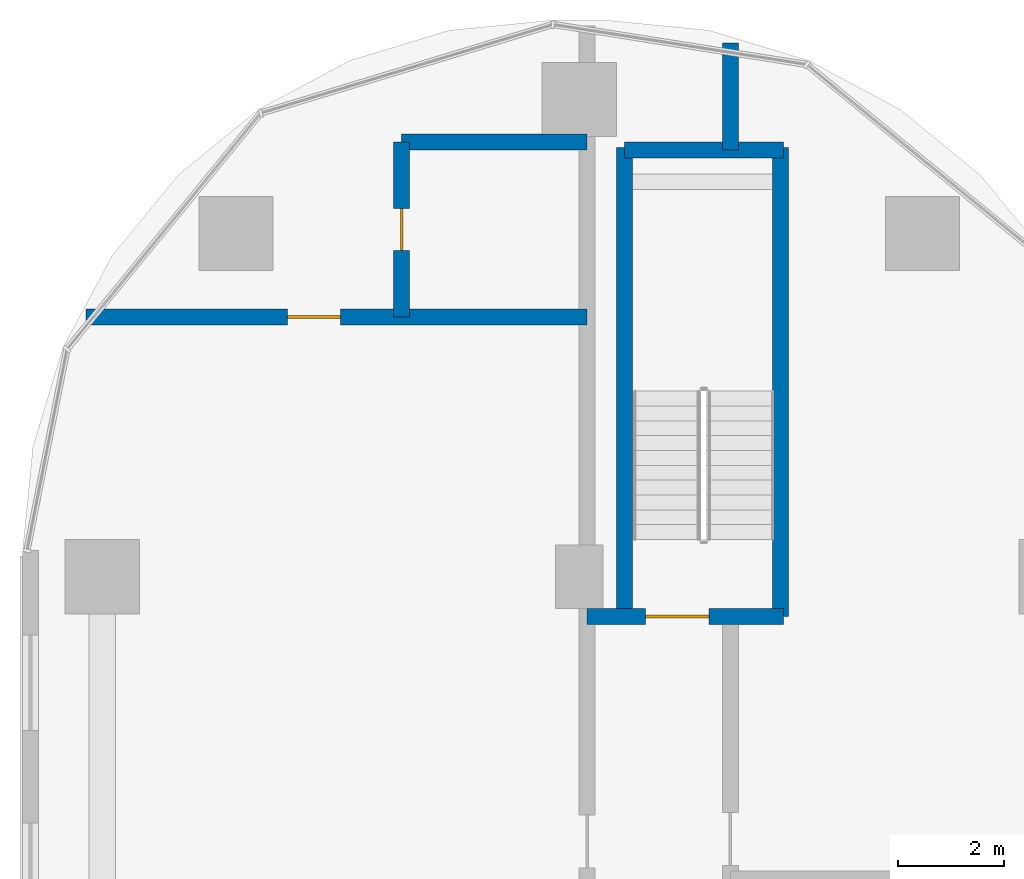
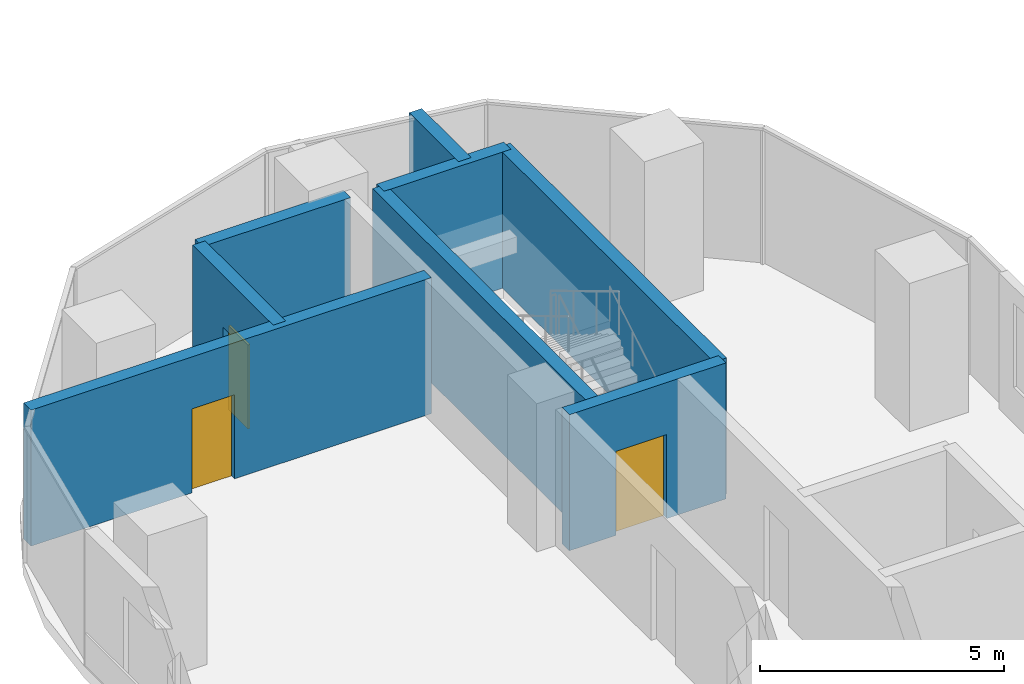
# One storey, part 19 of 31: 8 walls, 3 doors, 3 openings.
"""IFC4 building model written with IfcOpenShell, lengths in metres."""

from ifc_helpers import new_model, si_unit, direction, frame, frame_2d, origin, place, context, subcontext, project, spatial, rectangle, extrude, material, layer, layer_set, type_object, element, fill, save


model = new_model("IFC4")

# Units and contexts
model_context = context("Model", 3, precision=1e-05, world=origin(), true_north=direction((0.0, 1.0)))
body_context = subcontext(model_context, "Body", "Model", "MODEL_VIEW")
ifc_project = project(units=[si_unit("LENGTHUNIT", "METRE"), si_unit("AREAUNIT", "SQUARE_METRE"), si_unit("VOLUMEUNIT", "CUBIC_METRE"), si_unit("PLANEANGLEUNIT", "RADIAN"), si_unit("MASSUNIT", "GRAM", prefix="KILO")], contexts=[model_context])

# Site, building, storey
site_placement = place(None, origin())
site = spatial("IfcSite", under=ifc_project, at=site_placement, CompositionType="ELEMENT")
building_placement = place(site_placement, origin())
building = spatial("IfcBuilding", under=site, at=building_placement, Name="Ogive Portal Towers", CompositionType="ELEMENT")
storey_placement = place(building_placement, frame((0.0, 0.0, 74.199951171875)))
storey = spatial("IfcBuildingStorey", under=building, at=storey_placement, Name="L17", CompositionType="ELEMENT", Elevation=74.199951171875)

# Wall, opening, door
ifc_material_1 = material(Name="Concrete C50/60", Category="concrete")
ifc_layer_1 = layer(ifc_material_1, 0.300048828125)
ifc_layer_set_1 = layer_set([ifc_layer_1], Name="STAIR WALL 300 C50")
wall_type_1 = type_object("IfcWallType", Name="STAIR WALL 300 C50", PredefinedType="SHEAR", material=ifc_layer_set_1)
wall_1_placement = place(storey_placement, frame((40.64990234375, 65.75, 0.0), z_axis=(0.0, 0.0, 1.0), x_axis=(1.0, 0.0, 0.0)))
wall_1 = element("IfcWall", 1, at=wall_1_placement, inside=storey, type_object=wall_type_1, Name="Stair wall ST-A3 L17", PredefinedType="SHEAR", context=body_context, shape_type="SweptSolid", body=[
    extrude(rectangle(XDim=3.7001953125, YDim=0.300048828125, at=frame_2d((1.85009765625, 0.0))), origin(), (0.0, 0.0, 1.0), 3.400146484375),
])
opening_1_placement = place(wall_1_placement, frame((1.10009765625, 0.0, 0.0)))
opening_1 = element("IfcOpeningElement", 2, at=opening_1_placement, cuts=wall_1, Name="Opening D05-065", PredefinedType="OPENING", context=body_context, shape_type="SweptSolid", body=[
    extrude(rectangle(XDim=1.199951171875, YDim=2.10009765625, at=frame_2d((0.60009765625, 1.050048828125))), frame((0.0, 0.16015625, 0.0), z_axis=(0.0, -1.0, 0.0), x_axis=(1.0, 0.0, 0.0)), (0.0, 0.0, 1.0), 0.320068359375),
])
ifc_material_2 = material(Name="Steel fire door", Category="steel")
door_type_1 = type_object("IfcDoorType", Name="DT-STAIR-1200x2100-FD90S", OperationType="SINGLE_SWING_LEFT", PredefinedType="DOOR", material=ifc_material_2)
door_1_placement = place(opening_1_placement, origin())
door_1 = element("IfcDoor", 3, at=door_1_placement, inside=storey, type_object=door_type_1, Name="Door D05-065", OperationType="SINGLE_SWING_RIGHT", OverallHeight=2.10009765625, OverallWidth=1.199951171875, PredefinedType="DOOR", context=body_context, shape_type="SweptSolid", body=[
    extrude(rectangle(XDim=1.199951171875, YDim=2.10009765625, at=frame_2d((0.60009765625, 1.050048828125))), frame((0.0, 0.02490234375, 0.0), z_axis=(0.0, -1.0, 0.0), x_axis=(1.0, 0.0, 0.0)), (0.0, 0.0, 1.0), 0.050048828125),
])
fill(opening_1, door_1)

# Walls
wall_2_placement = place(storey_placement, frame((41.35009765625, 74.550048828125, 0.0), z_axis=(0.0, 0.0, 1.0), x_axis=(1.0, 0.0, 0.0)))
element("IfcWall", 4, at=wall_2_placement, inside=storey, type_object=wall_type_1, Name="Stair wall ST-A3 L17", PredefinedType="SHEAR", context=body_context, shape_type="SweptSolid", body=[
    extrude(rectangle(XDim=3.0, YDim=0.300048828125, at=frame_2d((1.5, 0.0))), origin(), (0.0, 0.0, 1.0), 3.400146484375),
])
for number, where, z_axis, x_axis, name in (
    (5, (41.35009765625, 65.75, 0.0), (0.0, 0.0, 1.0), (0.0, 1.0, 0.0), "Stair wall ST-A3 L17"),
    (6, (44.300048828125, 65.75, 0.0), (0.0, 0.0, 1.0), (0.0, 1.0, 0.0), "Stair wall ST-A3 L17"),
):
    element("IfcWall", number, at=place(storey_placement, frame(where, z_axis=z_axis, x_axis=x_axis)), inside=storey, type_object=wall_type_1, Name=name, PredefinedType="SHEAR", context=body_context, shape_type="SweptSolid", body=[
        extrude(rectangle(XDim=8.85009765625, YDim=0.300048828125, at=frame_2d((4.425048828125, 0.0))), origin(), (0.0, 0.0, 1.0), 3.400146484375),
    ])

# Wall, opening, door
ifc_material_3 = material(Name="Gypsum board partition on steel studs", Category="steel")
ifc_layer_2 = layer(ifc_material_3, 0.300048828125)
ifc_layer_set_2 = layer_set([ifc_layer_2], Name="WT-PART-300-EI 60")
wall_type_2 = type_object("IfcWallType", Name="WT-PART-300-EI 60", PredefinedType="PARTITIONING", material=ifc_layer_set_2)
wall_3_placement = place(storey_placement, frame((31.19091796875, 71.39990234375, 0.0), z_axis=(0.0, 0.0, 1.0), x_axis=(1.0, 0.0, 0.0)))
wall_3 = element("IfcWall", 7, at=wall_3_placement, inside=storey, type_object=wall_type_2, Name="Wall L17:w027", PredefinedType="PARTITIONING", context=body_context, shape_type="SweptSolid", body=[
    extrude(rectangle(XDim=9.458984375, YDim=0.300048828125, at=frame_2d((4.7294921875, 0.0))), origin(), (0.0, 0.0, 1.0), 3.400146484375),
])
opening_2_placement = place(wall_3_placement, frame((3.80908203125, 0.0, 0.0)))
opening_2 = element("IfcOpeningElement", 8, at=opening_2_placement, cuts=wall_3, Name="Opening D05-059", PredefinedType="OPENING", context=body_context, shape_type="SweptSolid", body=[
    extrude(rectangle(XDim=1.0, YDim=2.10009765625, at=frame_2d((0.5, 1.050048828125))), frame((0.0, 0.16015625, 0.0), z_axis=(0.0, -1.0, 0.0), x_axis=(1.0, 0.0, 0.0)), (0.0, 0.0, 1.0), 0.320068359375),
])
door_type_2 = type_object("IfcDoorType", Name="DT-ENTRY-1000x2100-FD60S", OperationType="SINGLE_SWING_LEFT", PredefinedType="DOOR", material=ifc_material_2)
door_2_placement = place(opening_2_placement, origin())
door_2 = element("IfcDoor", 9, at=door_2_placement, inside=storey, type_object=door_type_2, Name="Door D05-059", OperationType="SINGLE_SWING_LEFT", OverallHeight=2.10009765625, OverallWidth=1.0, PredefinedType="DOOR", context=body_context, shape_type="SweptSolid", body=[
    extrude(rectangle(XDim=1.0, YDim=2.10009765625, at=frame_2d((0.5, 1.050048828125))), frame((0.0, 0.02490234375, 0.0), z_axis=(0.0, -1.0, 0.0), x_axis=(1.0, 0.0, 0.0)), (0.0, 0.0, 1.0), 0.050048828125),
])
fill(opening_2, door_2)

# Wall
wall_4_placement = place(storey_placement, frame((37.14990234375, 74.699951171875, 0.0), z_axis=(0.0, 0.0, 1.0), x_axis=(1.0, 0.0, 0.0)))
element("IfcWall", 10, at=wall_4_placement, inside=storey, type_object=wall_type_2, Name="Wall L17:w029", PredefinedType="PARTITIONING", context=body_context, shape_type="SweptSolid", body=[
    extrude(rectangle(XDim=3.5, YDim=0.300048828125, at=frame_2d((1.75, 0.0))), origin(), (0.0, 0.0, 1.0), 3.400146484375),
])

# Wall, opening, door
wall_5_placement = place(storey_placement, frame((37.14990234375, 71.39990234375, 0.0), z_axis=(0.0, 0.0, 1.0), x_axis=(0.0, 1.0, 0.0)))
wall_5 = element("IfcWall", 11, at=wall_5_placement, inside=storey, type_object=wall_type_2, Name="Wall L17:w030", PredefinedType="PARTITIONING", context=body_context, shape_type="SweptSolid", body=[
    extrude(rectangle(XDim=3.300048828125, YDim=0.300048828125, at=frame_2d((1.64990234375, 0.0))), origin(), (0.0, 0.0, 1.0), 3.400146484375),
])
opening_3_placement = place(wall_5_placement, frame((1.25, 0.0, 0.0)))
opening_3 = element("IfcOpeningElement", 12, at=opening_3_placement, cuts=wall_5, Name="Opening D05-060", PredefinedType="OPENING", context=body_context, shape_type="SweptSolid", body=[
    extrude(rectangle(XDim=0.800048828125, YDim=2.10009765625, at=frame_2d((0.39990234375, 1.050048828125))), frame((0.0, 0.16015625, 0.0), z_axis=(0.0, -1.0, 0.0), x_axis=(1.0, 0.0, 0.0)), (0.0, 0.0, 1.0), 0.320068359375),
])
door_type_3 = type_object("IfcDoorType", Name="DT-BATH-800x2100-FD60S", OperationType="SINGLE_SWING_LEFT", PredefinedType="DOOR", material=ifc_material_2)
door_3_placement = place(opening_3_placement, origin())
door_3 = element("IfcDoor", 13, at=door_3_placement, inside=storey, type_object=door_type_3, Name="Door D05-060", OperationType="SINGLE_SWING_LEFT", OverallHeight=2.10009765625, OverallWidth=0.800048828125, PredefinedType="DOOR", context=body_context, shape_type="SweptSolid", body=[
    extrude(rectangle(XDim=0.800048828125, YDim=2.10009765625, at=frame_2d((0.39990234375, 1.050048828125))), frame((0.0, 0.02490234375, 0.0), z_axis=(0.0, -1.0, 0.0), x_axis=(1.0, 0.0, 0.0)), (0.0, 0.0, 1.0), 0.050048828125),
])
fill(opening_3, door_3)

# Wall
ifc_material_4 = material(Name="Concrete C40/50", Category="concrete")
ifc_layer_3 = layer(ifc_material_4, 0.300048828125)
ifc_layer_set_3 = layer_set([ifc_layer_3], Name="WT-SHAFT-300")
wall_type_3 = type_object("IfcWallType", Name="WT-SHAFT-300", PredefinedType="SOLIDWALL", material=ifc_layer_set_3)
wall_6_placement = place(storey_placement, frame((43.35009765625, 74.550048828125, 0.0), z_axis=(0.0, 0.0, 1.0), x_axis=(0.0, 1.0, 0.0)))
element("IfcWall", 14, at=wall_6_placement, inside=storey, type_object=wall_type_3, Name="Wall L17:w036", PredefinedType="SOLIDWALL", context=body_context, shape_type="SweptSolid", body=[
    extrude(rectangle(XDim=2.02197265625, YDim=0.300048828125, at=frame_2d((1.010986328125, 0.0))), origin(), (0.0, 0.0, 1.0), 3.400146484375),
])

save(model, "model.ifc")
